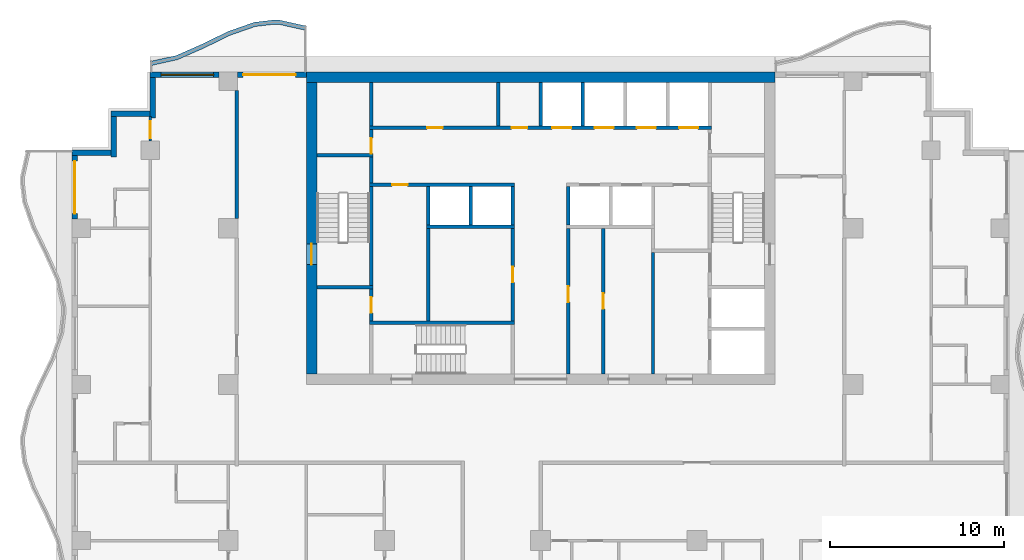
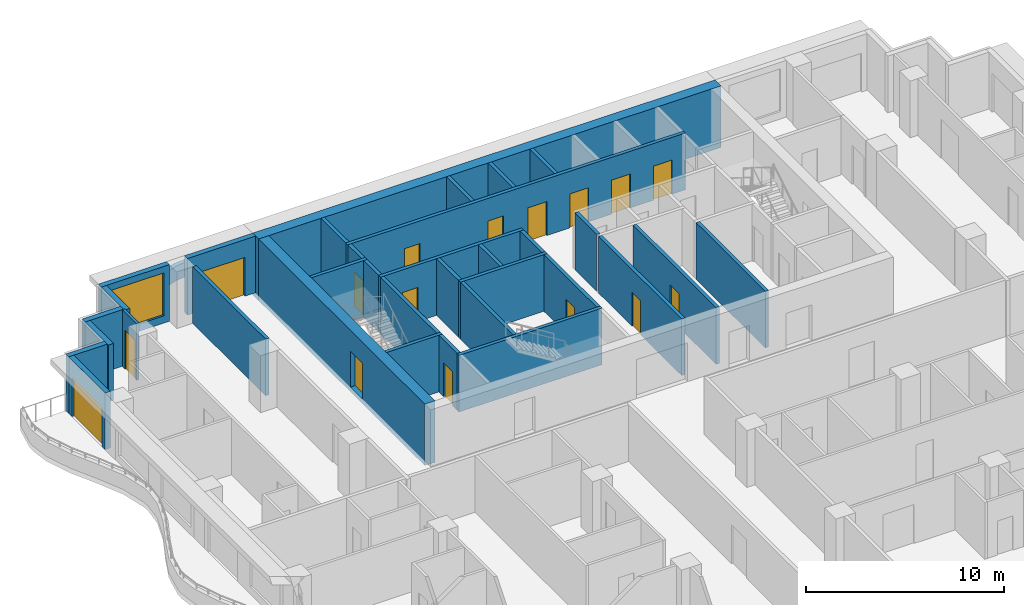
# One storey, part 5 of 11: 35 walls, 16 doors, 1 window, 17 openings.
"""IFC4 building model written with IfcOpenShell, lengths in metres."""

from ifc_helpers import new_model, si_unit, direction, frame, frame_2d, origin, place, context, subcontext, project, spatial, polyline, rectangle, outline, extrude, material, layer, layer_set, type_object, element, fill, save


model = new_model("IFC4")

# Units and contexts
model_context = context("Model", 3, precision=1e-05, world=origin(), true_north=direction((0.0, 1.0)))
body_context = subcontext(model_context, "Body", "Model", "MODEL_VIEW")
ifc_project = project(units=[si_unit("LENGTHUNIT", "METRE"), si_unit("AREAUNIT", "SQUARE_METRE"), si_unit("VOLUMEUNIT", "CUBIC_METRE"), si_unit("PLANEANGLEUNIT", "RADIAN"), si_unit("MASSUNIT", "GRAM", prefix="KILO")], contexts=[model_context])

# Site, building, storey
site_placement = place(None, origin())
site = spatial("IfcSite", under=ifc_project, at=site_placement, CompositionType="ELEMENT")
building_placement = place(site_placement, origin())
building = spatial("IfcBuilding", under=site, at=building_placement, Name="Orbiselva Terraces", CompositionType="ELEMENT")
storey_placement = place(building_placement, frame((0.0, 0.0, 184.4)))
storey = spatial("IfcBuildingStorey", under=building, at=storey_placement, Name="L46", CompositionType="ELEMENT", Elevation=184.4)

# Wall, opening, door
ifc_material_1 = material(Name="Concrete C80/95", Category="concrete")
ifc_layer_1 = layer(ifc_material_1, 0.6)
ifc_layer_set_1 = layer_set([ifc_layer_1], Name="Concrete C80/95")
wall_type_1 = type_object("IfcWallType", Name="CORE WALL 600", PredefinedType="SHEAR", material=ifc_layer_set_1)
wall_1_placement = place(storey_placement, frame((-13.2, 21.9, -0.3), z_axis=(0.0, 0.0, 1.0), x_axis=(0.0, -1.0, 0.0)))
wall_1 = element("IfcWall", 1, at=wall_1_placement, inside=storey, type_object=wall_type_1, Name="Core wall L46 west", PredefinedType="SHEAR", context=body_context, shape_type="SweptSolid", body=[
    extrude(rectangle(XDim=16.8, YDim=0.6, at=frame_2d((8.4, 0.0))), origin(), (0.0, 0.0, 1.0), 3.8),
])
opening_1_placement = place(wall_1_placement, frame((9.3, 0.0, 0.3)))
opening_1 = element("IfcOpeningElement", 2, at=opening_1_placement, cuts=wall_1, Name="Opening DS1200", PredefinedType="OPENING", context=body_context, shape_type="SweptSolid", body=[
    extrude(rectangle(XDim=1.2, YDim=2.2, at=frame_2d((0.6, 1.1))), frame((0.0, 0.31, 0.0), z_axis=(0.0, -1.0, 0.0), x_axis=(1.0, 0.0, 0.0)), (0.0, 0.0, 1.0), 0.62),
])
ifc_material_2 = material(Name="Steel fire door", Category="steel")
door_type_1 = type_object("IfcDoorType", Name="STAIR DOOR 1200", OperationType="NOTDEFINED", PredefinedType="DOOR", material=ifc_material_2)
door_1_placement = place(opening_1_placement, frame((1.2, 0.0, 0.0), z_axis=(0.0, 0.0, 1.0), x_axis=(-1.0, 0.0, 0.0)))
door_1 = element("IfcDoor", 3, at=door_1_placement, inside=storey, type_object=door_type_1, Name="L46 EXIT STAIR S1 door", OperationType="SINGLE_SWING_RIGHT", OverallHeight=2.2, OverallWidth=1.2, PredefinedType="DOOR", context=body_context, shape_type="SweptSolid", body=[
    extrude(rectangle(XDim=1.2, YDim=2.2, at=frame_2d((0.6, 1.1))), frame((0.0, 0.025, 0.0), z_axis=(0.0, -1.0, 0.0), x_axis=(1.0, 0.0, 0.0)), (0.0, 0.0, 1.0), 0.05),
])
fill(opening_1, door_1)

# Wall
ifc_layer_2 = layer(ifc_material_1, 0.6)
ifc_layer_set_2 = layer_set([ifc_layer_2], Name="Concrete C80/95")
wall_type_2 = type_object("IfcWallType", Name="CORE WALL 600 EXTERNAL", PredefinedType="SHEAR", material=ifc_layer_set_2)
wall_2_placement = place(storey_placement, frame((13.5, 22.2, -0.3), z_axis=(0.0, 0.0, 1.0), x_axis=(-1.0, 0.0, 0.0)))
element("IfcWall", 4, at=wall_2_placement, inside=storey, type_object=wall_type_2, Name="Core wall L46 north", PredefinedType="SHEAR", context=body_context, shape_type="SweptSolid", body=[
    extrude(rectangle(XDim=27.0, YDim=0.6, at=frame_2d((13.5, 0.0))), origin(), (0.0, 0.0, 1.0), 3.8),
])

# Wall, opening, door
ifc_material_3 = material(Name="Masonry blockwork", Category="masonry")
ifc_layer_3 = layer(ifc_material_3, 0.2)
ifc_layer_set_3 = layer_set([ifc_layer_3], Name="Masonry blockwork")
wall_type_3 = type_object("IfcWallType", Name="CORE-WALL-PARTITION-200", PredefinedType="PARTITIONING", material=ifc_layer_set_3)
wall_3_placement = place(storey_placement, frame((-9.75, 8.15, 0.0), z_axis=(0.0, 0.0, 1.0), x_axis=(0.0, 1.0, 0.0)))
wall_3 = element("IfcWall", 5, at=wall_3_placement, inside=storey, type_object=wall_type_3, Name="L46 core wall 05", PredefinedType="PARTITIONING", context=body_context, shape_type="SweptSolid", body=[
    extrude(rectangle(XDim=1.85, YDim=0.2, at=frame_2d((0.925, 0.0))), origin(), (0.0, 0.0, 1.0), 3.5),
])
opening_2_placement = place(wall_3_placement, frame((0.475, 0.0, 0.0)))
opening_2 = element("IfcOpeningElement", 6, at=opening_2_placement, cuts=wall_3, Name="Opening DR900", PredefinedType="OPENING", context=body_context, shape_type="SweptSolid", body=[
    extrude(rectangle(XDim=0.9, YDim=2.1, at=frame_2d((0.45, 1.05))), frame((0.0, 0.11, 0.0), z_axis=(0.0, -1.0, 0.0), x_axis=(1.0, 0.0, 0.0)), (0.0, 0.0, 1.0), 0.22),
])
door_type_2 = type_object("IfcDoorType", Name="ROOM DOOR 900", OperationType="NOTDEFINED", PredefinedType="DOOR", material=ifc_material_2)
door_2_placement = place(opening_2_placement, origin())
door_2 = element("IfcDoor", 7, at=door_2_placement, inside=storey, type_object=door_type_2, Name="L46 STAFF WC door", OperationType="SINGLE_SWING_RIGHT", OverallHeight=2.1, OverallWidth=0.9, PredefinedType="DOOR", context=body_context, shape_type="SweptSolid", body=[
    extrude(rectangle(XDim=0.9, YDim=2.1, at=frame_2d((0.45, 1.05))), frame((0.0, 0.025, 0.0), z_axis=(0.0, -1.0, 0.0), x_axis=(1.0, 0.0, 0.0)), (0.0, 0.0, 1.0), 0.05),
])
fill(opening_2, door_2)

wall_4_placement = place(storey_placement, frame((-9.75, 17.8, 0.0), z_axis=(0.0, 0.0, 1.0), x_axis=(0.0, 1.0, 0.0)))
wall_4 = element("IfcWall", 8, at=wall_4_placement, inside=storey, type_object=wall_type_3, Name="L46 core wall 09", PredefinedType="PARTITIONING", context=body_context, shape_type="SweptSolid", body=[
    extrude(rectangle(XDim=1.4, YDim=0.2, at=frame_2d((0.7, 0.0))), origin(), (0.0, 0.0, 1.0), 3.5),
])
opening_3_placement = place(wall_4_placement, origin())
opening_3 = element("IfcOpeningElement", 9, at=opening_3_placement, cuts=wall_4, Name="Opening DR900", PredefinedType="OPENING", context=body_context, shape_type="SweptSolid", body=[
    extrude(rectangle(XDim=0.9, YDim=2.1, at=frame_2d((0.45, 1.05))), frame((0.0, 0.11, 0.0), z_axis=(0.0, -1.0, 0.0), x_axis=(1.0, 0.0, 0.0)), (0.0, 0.0, 1.0), 0.22),
])
door_3_placement = place(opening_3_placement, origin())
door_3 = element("IfcDoor", 10, at=door_3_placement, inside=storey, type_object=door_type_2, Name="L46 ELECTRICAL RISER ROOM door", OperationType="SINGLE_SWING_LEFT", OverallHeight=2.1, OverallWidth=0.9, PredefinedType="DOOR", context=body_context, shape_type="SweptSolid", body=[
    extrude(rectangle(XDim=0.9, YDim=2.1, at=frame_2d((0.45, 1.05))), frame((0.0, 0.025, 0.0), z_axis=(0.0, -1.0, 0.0), x_axis=(1.0, 0.0, 0.0)), (0.0, 0.0, 1.0), 0.05),
])
fill(opening_3, door_3)

# Walls
wall_5_placement = place(storey_placement, frame((-9.75, 19.4, 0.0), z_axis=(0.0, 0.0, 1.0), x_axis=(0.0, 1.0, 0.0)))
element("IfcWall", 11, at=wall_5_placement, inside=storey, type_object=wall_type_3, Name="L46 core wall 11", PredefinedType="PARTITIONING", context=body_context, shape_type="SweptSolid", body=[
    extrude(rectangle(XDim=2.5, YDim=0.2, at=frame_2d((1.25, 0.0))), origin(), (0.0, 0.0, 1.0), 3.5),
])
wall_6_placement = place(storey_placement, frame((-6.475, 8.15, 0.0), z_axis=(0.0, 0.0, 1.0), x_axis=(0.0, 1.0, 0.0)))
element("IfcWall", 12, at=wall_6_placement, inside=storey, type_object=wall_type_3, Name="L46 core wall 12", PredefinedType="PARTITIONING", context=body_context, shape_type="SweptSolid", body=[
    extrude(rectangle(XDim=5.35, YDim=0.2, at=frame_2d((2.675, 0.0))), origin(), (0.0, 0.0, 1.0), 3.5),
])
wall_7_placement = place(storey_placement, frame((-2.4375, 19.4, 0.0), z_axis=(0.0, 0.0, 1.0), x_axis=(0.0, 1.0, 0.0)))
element("IfcWall", 13, at=wall_7_placement, inside=storey, type_object=wall_type_3, Name="L46 core wall 16", PredefinedType="PARTITIONING", context=body_context, shape_type="SweptSolid", body=[
    extrude(rectangle(XDim=2.5, YDim=0.2, at=frame_2d((1.25, 0.0))), origin(), (0.0, 0.0, 1.0), 3.5),
])

# Wall, opening, door
wall_8_placement = place(storey_placement, frame((3.6, 13.5, 0.0), z_axis=(0.0, 0.0, 1.0), x_axis=(0.0, -1.0, 0.0)))
wall_8 = element("IfcWall", 14, at=wall_8_placement, inside=storey, type_object=wall_type_3, Name="L46 core wall 26", PredefinedType="PARTITIONING", context=body_context, shape_type="SweptSolid", body=[
    extrude(rectangle(XDim=8.4, YDim=0.2, at=frame_2d((4.2, 0.0))), origin(), (0.0, 0.0, 1.0), 3.5),
])
opening_4_placement = place(wall_8_placement, frame((3.75, 0.0, 0.0)))
opening_4 = element("IfcOpeningElement", 15, at=opening_4_placement, cuts=wall_8, Name="Opening DR900", PredefinedType="OPENING", context=body_context, shape_type="SweptSolid", body=[
    extrude(rectangle(XDim=0.9, YDim=2.1, at=frame_2d((0.45, 1.05))), frame((0.0, 0.11, 0.0), z_axis=(0.0, -1.0, 0.0), x_axis=(1.0, 0.0, 0.0)), (0.0, 0.0, 1.0), 0.22),
])
door_4_placement = place(opening_4_placement, origin())
door_4 = element("IfcDoor", 16, at=door_4_placement, inside=storey, type_object=door_type_2, Name="L46 SERVICE ROOM door", OperationType="SINGLE_SWING_RIGHT", OverallHeight=2.1, OverallWidth=0.9, PredefinedType="DOOR", context=body_context, shape_type="SweptSolid", body=[
    extrude(rectangle(XDim=0.9, YDim=2.1, at=frame_2d((0.45, 1.05))), frame((0.0, 0.025, 0.0), z_axis=(0.0, -1.0, 0.0), x_axis=(1.0, 0.0, 0.0)), (0.0, 0.0, 1.0), 0.05),
])
fill(opening_4, door_4)

# Walls
ifc_material_4 = material(Name="Concrete C40/50", Category="concrete")
ifc_layer_4 = layer(ifc_material_4, 0.2)
ifc_layer_set_4 = layer_set([ifc_layer_4], Name="Concrete C40/50")
wall_type_4 = type_object("IfcWallType", Name="CORE-WALL-SHAFT-200", PredefinedType="PARTITIONING", material=ifc_layer_set_4)
for number, where, z_axis, x_axis, name in (
    (17, (-6.475, 13.7, 0.0), (0.0, 0.0, 1.0), (0.0, 1.0, 0.0), "L46 core wall 14"),
    (18, (-4.0375, 13.7, 0.0), (0.0, 0.0, 1.0), (0.0, 1.0, 0.0), "L46 core wall 15"),
    (19, (-1.6, 13.7, 0.0), (0.0, 0.0, 1.0), (0.0, 1.0, 0.0), "L46 core wall 19"),
):
    element("IfcWall", number, at=place(storey_placement, frame(where, z_axis=z_axis, x_axis=x_axis)), inside=storey, type_object=wall_type_4, Name=name, PredefinedType="PARTITIONING", context=body_context, shape_type="SweptSolid", body=[
        extrude(rectangle(XDim=2.2, YDim=0.2, at=frame_2d((1.1, 0.0))), origin(), (0.0, 0.0, 1.0), 3.5),
    ])
wall_9_placement = place(storey_placement, frame((0.0, 19.4, 0.0), z_axis=(0.0, 0.0, 1.0), x_axis=(0.0, 1.0, 0.0)))
element("IfcWall", 20, at=wall_9_placement, inside=storey, type_object=wall_type_4, Name="L46 core wall 20", PredefinedType="PARTITIONING", context=body_context, shape_type="SweptSolid", body=[
    extrude(rectangle(XDim=2.5, YDim=0.2, at=frame_2d((1.25, 0.0))), origin(), (0.0, 0.0, 1.0), 3.5),
])
wall_10_placement = place(storey_placement, frame((1.6, 13.7, 0.0), z_axis=(0.0, 0.0, 1.0), x_axis=(0.0, 1.0, 0.0)))
element("IfcWall", 21, at=wall_10_placement, inside=storey, type_object=wall_type_4, Name="L46 core wall 23", PredefinedType="PARTITIONING", context=body_context, shape_type="SweptSolid", body=[
    extrude(rectangle(XDim=2.2, YDim=0.2, at=frame_2d((1.1, 0.0))), origin(), (0.0, 0.0, 1.0), 3.5),
])
wall_11_placement = place(storey_placement, frame((2.4375, 19.4, 0.0), z_axis=(0.0, 0.0, 1.0), x_axis=(0.0, 1.0, 0.0)))
element("IfcWall", 22, at=wall_11_placement, inside=storey, type_object=wall_type_4, Name="L46 core wall 25", PredefinedType="PARTITIONING", context=body_context, shape_type="SweptSolid", body=[
    extrude(rectangle(XDim=2.5, YDim=0.2, at=frame_2d((1.25, 0.0))), origin(), (0.0, 0.0, 1.0), 3.5),
])
ifc_material_5 = material(Name="Concrete C60/75", Category="concrete")
ifc_layer_5 = layer(ifc_material_5, 0.2)
ifc_layer_set_5 = layer_set([ifc_layer_5], Name="Concrete C60/75")
wall_type_5 = type_object("IfcWallType", Name="CORE-WALL-SHEAR-200", PredefinedType="SHEAR", material=ifc_layer_set_5)
for number, where, z_axis, x_axis, name in (
    (23, (-12.9, 10.1, 0.0), (0.0, 0.0, 1.0), (1.0, 0.0, 0.0), "L46 core wall 01"),
    (24, (-12.9, 17.7, 0.0), (0.0, 0.0, 1.0), (1.0, 0.0, 0.0), "L46 core wall 02"),
):
    element("IfcWall", number, at=place(storey_placement, frame(where, z_axis=z_axis, x_axis=x_axis)), inside=storey, type_object=wall_type_5, Name=name, PredefinedType="SHEAR", context=body_context, shape_type="SweptSolid", body=[
        extrude(rectangle(XDim=3.25, YDim=0.2, at=frame_2d((1.625, 0.0))), origin(), (0.0, 0.0, 1.0), 3.5),
    ])
wall_12_placement = place(storey_placement, frame((-9.85, 8.05, 0.0), z_axis=(0.0, 0.0, 1.0), x_axis=(1.0, 0.0, 0.0)))
element("IfcWall", 25, at=wall_12_placement, inside=storey, type_object=wall_type_5, Name="L46 core wall 04", PredefinedType="SHEAR", context=body_context, shape_type="SweptSolid", body=[
    extrude(rectangle(XDim=8.35, YDim=0.2, at=frame_2d((4.175, 0.0))), origin(), (0.0, 0.0, 1.0), 3.5),
])
wall_13_placement = place(storey_placement, frame((-9.75, 10.2, 0.0), z_axis=(0.0, 0.0, 1.0), x_axis=(0.0, 1.0, 0.0)))
element("IfcWall", 26, at=wall_13_placement, inside=storey, type_object=wall_type_5, Name="L46 core wall 06", PredefinedType="SHEAR", context=body_context, shape_type="SweptSolid", body=[
    extrude(rectangle(XDim=5.7, YDim=0.2, at=frame_2d((2.85, 0.0))), origin(), (0.0, 0.0, 1.0), 3.5),
])

# Wall, opening, door
wall_14_placement = place(storey_placement, frame((-1.5, 16.0, 0.0), z_axis=(0.0, 0.0, 1.0), x_axis=(-1.0, 0.0, 0.0)))
wall_14 = element("IfcWall", 27, at=wall_14_placement, inside=storey, type_object=wall_type_5, Name="L46 core wall 07", PredefinedType="SHEAR", context=body_context, shape_type="SweptSolid", body=[
    extrude(rectangle(XDim=8.35, YDim=0.2, at=frame_2d((4.175, 0.0))), origin(), (0.0, 0.0, 1.0), 3.5),
])
opening_5_placement = place(wall_14_placement, frame((6.1625, 0.0, 0.0)))
opening_5 = element("IfcOpeningElement", 28, at=opening_5_placement, cuts=wall_14, Name="Opening DR900", PredefinedType="OPENING", context=body_context, shape_type="SweptSolid", body=[
    extrude(rectangle(XDim=0.9, YDim=2.1, at=frame_2d((0.45, 1.05))), frame((0.0, 0.11, 0.0), z_axis=(0.0, -1.0, 0.0), x_axis=(1.0, 0.0, 0.0)), (0.0, 0.0, 1.0), 0.22),
])
door_5_placement = place(opening_5_placement, origin())
door_5 = element("IfcDoor", 29, at=door_5_placement, inside=storey, type_object=door_type_2, Name="L46 STAFF PANTRY door", OperationType="SINGLE_SWING_RIGHT", OverallHeight=2.1, OverallWidth=0.9, PredefinedType="DOOR", context=body_context, shape_type="SweptSolid", body=[
    extrude(rectangle(XDim=0.9, YDim=2.1, at=frame_2d((0.45, 1.05))), frame((0.0, 0.025, 0.0), z_axis=(0.0, -1.0, 0.0), x_axis=(1.0, 0.0, 0.0)), (0.0, 0.0, 1.0), 0.05),
])
fill(opening_5, door_5)

# Wall
wall_15_placement = place(storey_placement, frame((-9.75, 16.1, 0.0), z_axis=(0.0, 0.0, 1.0), x_axis=(0.0, 1.0, 0.0)))
element("IfcWall", 30, at=wall_15_placement, inside=storey, type_object=wall_type_5, Name="L46 core wall 08", PredefinedType="SHEAR", context=body_context, shape_type="SweptSolid", body=[
    extrude(rectangle(XDim=1.5, YDim=0.2, at=frame_2d((0.75, 0.0))), origin(), (0.0, 0.0, 1.0), 3.5),
])

# Wall, openings, doors
wall_16_placement = place(storey_placement, frame((-9.85, 19.3, 0.0), z_axis=(0.0, 0.0, 1.0), x_axis=(1.0, 0.0, 0.0)))
wall_16 = element("IfcWall", 31, at=wall_16_placement, inside=storey, type_object=wall_type_5, Name="L46 core wall 10", PredefinedType="SHEAR", context=body_context, shape_type="SweptSolid", body=[
    extrude(rectangle(XDim=19.7, YDim=0.2, at=frame_2d((9.85, 0.0))), origin(), (0.0, 0.0, 1.0), 3.5),
])
opening_6_placement = place(wall_16_placement, frame((10.51875, 0.0, 0.0)))
opening_6 = element("IfcOpeningElement", 32, at=opening_6_placement, cuts=wall_16, Name="Opening LD-HR1", PredefinedType="OPENING", context=body_context, shape_type="SweptSolid", body=[
    extrude(rectangle(XDim=1.1, YDim=2.1, at=frame_2d((0.55, 1.05))), frame((0.0, 0.11, 0.0), z_axis=(0.0, -1.0, 0.0), x_axis=(1.0, 0.0, 0.0)), (0.0, 0.0, 1.0), 0.22),
])
opening_7_placement = place(wall_16_placement, frame((12.95625, 0.0, 0.0)))
opening_7 = element("IfcOpeningElement", 33, at=opening_7_placement, cuts=wall_16, Name="Opening LD-HR2", PredefinedType="OPENING", context=body_context, shape_type="SweptSolid", body=[
    extrude(rectangle(XDim=1.1, YDim=2.1, at=frame_2d((0.55, 1.05))), frame((0.0, 0.11, 0.0), z_axis=(0.0, -1.0, 0.0), x_axis=(1.0, 0.0, 0.0)), (0.0, 0.0, 1.0), 0.22),
])
opening_8_placement = place(wall_16_placement, frame((15.39375, 0.0, 0.0)))
opening_8 = element("IfcOpeningElement", 34, at=opening_8_placement, cuts=wall_16, Name="Opening LD-HR3", PredefinedType="OPENING", context=body_context, shape_type="SweptSolid", body=[
    extrude(rectangle(XDim=1.1, YDim=2.1, at=frame_2d((0.55, 1.05))), frame((0.0, 0.11, 0.0), z_axis=(0.0, -1.0, 0.0), x_axis=(1.0, 0.0, 0.0)), (0.0, 0.0, 1.0), 0.22),
])
opening_9_placement = place(wall_16_placement, frame((17.83125, 0.0, 0.0)))
opening_9 = element("IfcOpeningElement", 35, at=opening_9_placement, cuts=wall_16, Name="Opening LD-HR4", PredefinedType="OPENING", context=body_context, shape_type="SweptSolid", body=[
    extrude(rectangle(XDim=1.1, YDim=2.1, at=frame_2d((0.55, 1.05))), frame((0.0, 0.11, 0.0), z_axis=(0.0, -1.0, 0.0), x_axis=(1.0, 0.0, 0.0)), (0.0, 0.0, 1.0), 0.22),
])
opening_10_placement = place(wall_16_placement, frame((3.3062, 0.0, 0.0)))
opening_10 = element("IfcOpeningElement", 36, at=opening_10_placement, cuts=wall_16, Name="Opening DR900", PredefinedType="OPENING", context=body_context, shape_type="SweptSolid", body=[
    extrude(rectangle(XDim=0.9, YDim=2.1, at=frame_2d((0.45, 1.05))), frame((0.0, 0.11, 0.0), z_axis=(0.0, -1.0, 0.0), x_axis=(1.0, 0.0, 0.0)), (0.0, 0.0, 1.0), 0.22),
])
opening_11_placement = place(wall_16_placement, frame((8.1812, 0.0, 0.0)))
opening_11 = element("IfcOpeningElement", 37, at=opening_11_placement, cuts=wall_16, Name="Opening DR900", PredefinedType="OPENING", context=body_context, shape_type="SweptSolid", body=[
    extrude(rectangle(XDim=0.9, YDim=2.1, at=frame_2d((0.45, 1.05))), frame((0.0, 0.11, 0.0), z_axis=(0.0, -1.0, 0.0), x_axis=(1.0, 0.0, 0.0)), (0.0, 0.0, 1.0), 0.22),
])
ifc_material_6 = material(Name="Stainless steel landing door", Category="steel")
door_type_3 = type_object("IfcDoorType", Name="LANDING DOOR 1100", OperationType="SLIDING_TO_LEFT", PredefinedType="DOOR", material=ifc_material_6)
door_6_placement = place(opening_6_placement, origin())
door_6 = element("IfcDoor", 38, at=door_6_placement, inside=storey, type_object=door_type_3, Name="L46 landing door HR1", OperationType="SLIDING_TO_RIGHT", OverallHeight=2.1, OverallWidth=1.1, PredefinedType="DOOR", context=body_context, shape_type="SweptSolid", body=[
    extrude(rectangle(XDim=1.1, YDim=2.1, at=frame_2d((0.55, 1.05))), frame((0.0, 0.025, 0.0), z_axis=(0.0, -1.0, 0.0), x_axis=(1.0, 0.0, 0.0)), (0.0, 0.0, 1.0), 0.05),
])
fill(opening_6, door_6)
door_7_placement = place(opening_7_placement, origin())
door_7 = element("IfcDoor", 39, at=door_7_placement, inside=storey, type_object=door_type_3, Name="L46 landing door HR2", OperationType="SLIDING_TO_RIGHT", OverallHeight=2.1, OverallWidth=1.1, PredefinedType="DOOR", context=body_context, shape_type="SweptSolid", body=[
    extrude(rectangle(XDim=1.1, YDim=2.1, at=frame_2d((0.55, 1.05))), frame((0.0, 0.025, 0.0), z_axis=(0.0, -1.0, 0.0), x_axis=(1.0, 0.0, 0.0)), (0.0, 0.0, 1.0), 0.05),
])
fill(opening_7, door_7)
door_8_placement = place(opening_8_placement, origin())
door_8 = element("IfcDoor", 40, at=door_8_placement, inside=storey, type_object=door_type_3, Name="L46 landing door HR3", OperationType="SLIDING_TO_RIGHT", OverallHeight=2.1, OverallWidth=1.1, PredefinedType="DOOR", context=body_context, shape_type="SweptSolid", body=[
    extrude(rectangle(XDim=1.1, YDim=2.1, at=frame_2d((0.55, 1.05))), frame((0.0, 0.025, 0.0), z_axis=(0.0, -1.0, 0.0), x_axis=(1.0, 0.0, 0.0)), (0.0, 0.0, 1.0), 0.05),
])
fill(opening_8, door_8)
door_9_placement = place(opening_9_placement, origin())
door_9 = element("IfcDoor", 41, at=door_9_placement, inside=storey, type_object=door_type_3, Name="L46 landing door HR4", OperationType="SLIDING_TO_RIGHT", OverallHeight=2.1, OverallWidth=1.1, PredefinedType="DOOR", context=body_context, shape_type="SweptSolid", body=[
    extrude(rectangle(XDim=1.1, YDim=2.1, at=frame_2d((0.55, 1.05))), frame((0.0, 0.025, 0.0), z_axis=(0.0, -1.0, 0.0), x_axis=(1.0, 0.0, 0.0)), (0.0, 0.0, 1.0), 0.05),
])
fill(opening_9, door_9)
door_10_placement = place(opening_10_placement, origin())
door_10 = element("IfcDoor", 42, at=door_10_placement, inside=storey, type_object=door_type_2, Name="L46 HOUSEKEEPING door", OperationType="SINGLE_SWING_LEFT", OverallHeight=2.1, OverallWidth=0.9, PredefinedType="DOOR", context=body_context, shape_type="SweptSolid", body=[
    extrude(rectangle(XDim=0.9, YDim=2.1, at=frame_2d((0.45, 1.05))), frame((0.0, 0.025, 0.0), z_axis=(0.0, -1.0, 0.0), x_axis=(1.0, 0.0, 0.0)), (0.0, 0.0, 1.0), 0.05),
])
fill(opening_10, door_10)
door_11_placement = place(opening_11_placement, origin())
door_11 = element("IfcDoor", 43, at=door_11_placement, inside=storey, type_object=door_type_2, Name="L46 WC door", OperationType="SINGLE_SWING_LEFT", OverallHeight=2.1, OverallWidth=0.9, PredefinedType="DOOR", context=body_context, shape_type="SweptSolid", body=[
    extrude(rectangle(XDim=0.9, YDim=2.1, at=frame_2d((0.45, 1.05))), frame((0.0, 0.025, 0.0), z_axis=(0.0, -1.0, 0.0), x_axis=(1.0, 0.0, 0.0)), (0.0, 0.0, 1.0), 0.05),
])
fill(opening_11, door_11)

# Wall
wall_17_placement = place(storey_placement, frame((-6.575, 13.6, 0.0), z_axis=(0.0, 0.0, 1.0), x_axis=(1.0, 0.0, 0.0)))
element("IfcWall", 44, at=wall_17_placement, inside=storey, type_object=wall_type_5, Name="L46 core wall 13", PredefinedType="SHEAR", context=body_context, shape_type="SweptSolid", body=[
    extrude(rectangle(XDim=5.075, YDim=0.2, at=frame_2d((2.5375, 0.0))), origin(), (0.0, 0.0, 1.0), 3.5),
])

# Wall, opening, door
wall_18_placement = place(storey_placement, frame((-1.6, 8.15, 0.0), z_axis=(0.0, 0.0, 1.0), x_axis=(0.0, 1.0, 0.0)))
wall_18 = element("IfcWall", 45, at=wall_18_placement, inside=storey, type_object=wall_type_5, Name="L46 core wall 18", PredefinedType="SHEAR", context=body_context, shape_type="SweptSolid", body=[
    extrude(rectangle(XDim=5.35, YDim=0.2, at=frame_2d((2.675, 0.0))), origin(), (0.0, 0.0, 1.0), 3.5),
])
opening_12_placement = place(wall_18_placement, frame((2.225, 0.0, 0.0)))
opening_12 = element("IfcOpeningElement", 46, at=opening_12_placement, cuts=wall_18, Name="Opening DR900", PredefinedType="OPENING", context=body_context, shape_type="SweptSolid", body=[
    extrude(rectangle(XDim=0.9, YDim=2.1, at=frame_2d((0.45, 1.05))), frame((0.0, 0.11, 0.0), z_axis=(0.0, -1.0, 0.0), x_axis=(1.0, 0.0, 0.0)), (0.0, 0.0, 1.0), 0.22),
])
door_12_placement = place(opening_12_placement, origin())
door_12 = element("IfcDoor", 47, at=door_12_placement, inside=storey, type_object=door_type_2, Name="L46 HOUSEKEEPING STORE door", OperationType="SINGLE_SWING_RIGHT", OverallHeight=2.1, OverallWidth=0.9, PredefinedType="DOOR", context=body_context, shape_type="SweptSolid", body=[
    extrude(rectangle(XDim=0.9, YDim=2.1, at=frame_2d((0.45, 1.05))), frame((0.0, 0.025, 0.0), z_axis=(0.0, -1.0, 0.0), x_axis=(1.0, 0.0, 0.0)), (0.0, 0.0, 1.0), 0.05),
])
fill(opening_12, door_12)

wall_19_placement = place(storey_placement, frame((1.6, 13.5, 0.0), z_axis=(0.0, 0.0, 1.0), x_axis=(0.0, -1.0, 0.0)))
wall_19 = element("IfcWall", 48, at=wall_19_placement, inside=storey, type_object=wall_type_5, Name="L46 core wall 21", PredefinedType="SHEAR", context=body_context, shape_type="SweptSolid", body=[
    extrude(rectangle(XDim=8.4, YDim=0.2, at=frame_2d((4.2, 0.0))), origin(), (0.0, 0.0, 1.0), 3.5),
])
opening_13_placement = place(wall_19_placement, frame((3.35, 0.0, 0.0)))
opening_13 = element("IfcOpeningElement", 49, at=opening_13_placement, cuts=wall_19, Name="Opening DR900", PredefinedType="OPENING", context=body_context, shape_type="SweptSolid", body=[
    extrude(rectangle(XDim=0.9, YDim=2.1, at=frame_2d((0.45, 1.05))), frame((0.0, 0.11, 0.0), z_axis=(0.0, -1.0, 0.0), x_axis=(1.0, 0.0, 0.0)), (0.0, 0.0, 1.0), 0.22),
])
door_13_placement = place(opening_13_placement, origin())
door_13 = element("IfcDoor", 50, at=door_13_placement, inside=storey, type_object=door_type_2, Name="L46 COMMS ROOM door", OperationType="SINGLE_SWING_LEFT", OverallHeight=2.1, OverallWidth=0.9, PredefinedType="DOOR", context=body_context, shape_type="SweptSolid", body=[
    extrude(rectangle(XDim=0.9, YDim=2.1, at=frame_2d((0.45, 1.05))), frame((0.0, 0.025, 0.0), z_axis=(0.0, -1.0, 0.0), x_axis=(1.0, 0.0, 0.0)), (0.0, 0.0, 1.0), 0.05),
])
fill(opening_13, door_13)

# Walls
wall_20_placement = place(storey_placement, frame((6.475, 5.1, 0.0), z_axis=(0.0, 0.0, 1.0), x_axis=(0.0, 1.0, 0.0)))
element("IfcWall", 51, at=wall_20_placement, inside=storey, type_object=wall_type_5, Name="L46 core wall 29", PredefinedType="SHEAR", context=body_context, shape_type="SweptSolid", body=[
    extrude(rectangle(XDim=7.0, YDim=0.2, at=frame_2d((3.5, 0.0))), origin(), (0.0, 0.0, 1.0), 3.5),
])
ifc_layer_6 = layer(ifc_material_4, 0.25)
ifc_layer_set_6 = layer_set([ifc_layer_6], Name="Concrete C40/50")
wall_type_6 = type_object("IfcWallType", Name="ENV-PLANTER-250x900", PredefinedType="USERDEFINED", material=ifc_layer_set_6)
wall_21_placement = place(storey_placement, origin())
element("IfcWall", 52, at=wall_21_placement, inside=storey, type_object=wall_type_6, Name="Balcony planter L46 NW", ObjectType="PLANTER", PredefinedType="USERDEFINED", context=body_context, shape_type="SweptSolid", body=[
    extrude(outline(polyline([(-13.5, 25.148528), (-15.0, 25.485226), (-15.375, 25.5), (-16.5, 25.369208), (-18.0, 24.844789), (-19.5, 24.112279), (-21.0, 23.451472), (-22.5, 23.114774), (-22.445246, 22.870844), (-20.921492, 23.212874), (-19.394714, 23.885477), (-17.90356, 24.613667), (-16.443629, 25.124078), (-15.365428, 25.249429), (-15.032565, 25.236315), (-13.554754, 24.904598), (-13.5, 25.148528)])), origin(), (0.0, 0.0, 1.0), 0.9),
])

# Wall, opening, door
ifc_material_7 = material(Name="Terracotta cladding on masonry backing", Category="masonry")
ifc_layer_7 = layer(ifc_material_7, 0.3)
ifc_layer_set_7 = layer_set([ifc_layer_7], Name="Terracotta cladding on masonry backing")
wall_type_7 = type_object("IfcWallType", Name="ENV-WALL-TERRACOTTA-300", PredefinedType="SOLIDWALL", material=ifc_layer_set_7)
wall_22_placement = place(storey_placement, frame((-17.475, 22.35, 0.0), z_axis=(0.0, 0.0, 1.0), x_axis=(1.0, 0.0, 0.0)))
wall_22 = element("IfcWall", 53, at=wall_22_placement, inside=storey, type_object=wall_type_7, Name="Facade wall L46 NW", PredefinedType="SOLIDWALL", context=body_context, shape_type="SweptSolid", body=[
    extrude(rectangle(XDim=3.975, YDim=0.3, at=frame_2d((1.9875, 0.0))), origin(), (0.0, 0.0, 1.0), 3.5),
])
opening_14_placement = place(wall_22_placement, frame((0.325, 0.0, 0.0)))
opening_14 = element("IfcOpeningElement", 54, at=opening_14_placement, cuts=wall_22, Name="Opening Z4-A-E10", PredefinedType="OPENING", context=body_context, shape_type="SweptSolid", body=[
    extrude(rectangle(XDim=3.025, YDim=2.4, at=frame_2d((1.5125, 1.2))), frame((0.0, 0.16, 0.0), z_axis=(0.0, -1.0, 0.0), x_axis=(1.0, 0.0, 0.0)), (0.0, 0.0, 1.0), 0.32),
])
ifc_material_8 = material(Name="Clear low-e glazing in aluminium frame", Category="aluminium")
door_type_4 = type_object("IfcDoorType", Name="BALCONY DOOR 3025 X 2400", OperationType="DOUBLE_DOOR_SLIDING", PredefinedType="DOOR", material=ifc_material_8)
door_14_placement = place(opening_14_placement, origin())
door_14 = element("IfcDoor", 55, at=door_14_placement, inside=storey, type_object=door_type_4, Name="Z4-A-E10", OperationType="SINGLE_SWING_LEFT", OverallHeight=2.4, OverallWidth=3.025, PredefinedType="DOOR", context=body_context, shape_type="SweptSolid", body=[
    extrude(rectangle(XDim=3.025, YDim=2.4, at=frame_2d((1.5125, 1.2))), frame((0.0, 0.025, 0.0), z_axis=(0.0, -1.0, 0.0), x_axis=(1.0, 0.0, 0.0)), (0.0, 0.0, 1.0), 0.05),
])
fill(opening_14, door_14)

# Wall, opening, window
wall_23_placement = place(storey_placement, frame((-22.5, 22.35, 0.0), z_axis=(0.0, 0.0, 1.0), x_axis=(1.0, 0.0, 0.0)))
wall_23 = element("IfcWall", 56, at=wall_23_placement, inside=storey, type_object=wall_type_7, Name="Facade wall L46 NW", PredefinedType="SOLIDWALL", context=body_context, shape_type="SweptSolid", body=[
    extrude(rectangle(XDim=3.975, YDim=0.3, at=frame_2d((1.9875, 0.0))), origin(), (0.0, 0.0, 1.0), 3.5),
])
opening_15_placement = place(wall_23_placement, frame((0.625, 0.0, 0.45)))
opening_15 = element("IfcOpeningElement", 57, at=opening_15_placement, cuts=wall_23, Name="Opening WN14", PredefinedType="OPENING", context=body_context, shape_type="SweptSolid", body=[
    extrude(rectangle(XDim=3.025, YDim=2.65, at=frame_2d((1.5125, 1.325))), frame((0.0, 0.16, 0.0), z_axis=(0.0, -1.0, 0.0), x_axis=(1.0, 0.0, 0.0)), (0.0, 0.0, 1.0), 0.32),
])
window_type = type_object("IfcWindowType", Name="WINDOW 3025 X 2650 S450", PartitioningType="TRIPLE_PANEL_VERTICAL", PredefinedType="WINDOW", material=ifc_material_8)
window_placement = place(opening_15_placement, origin())
window = element("IfcWindow", 58, at=window_placement, inside=storey, type_object=window_type, Name="Window L46 NW", OverallHeight=2.65, OverallWidth=3.025, PartitioningType="SINGLE_PANEL", PredefinedType="WINDOW", context=body_context, shape_type="SweptSolid", body=[
    extrude(rectangle(XDim=3.025, YDim=2.65, at=frame_2d((1.5125, 1.325))), frame((0.0, 0.03, 0.0), z_axis=(0.0, -1.0, 0.0), x_axis=(1.0, 0.0, 0.0)), (0.0, 0.0, 1.0), 0.06),
])
fill(opening_15, window)

# Walls
wall_24_placement = place(storey_placement, frame((-22.35, 19.85, 0.0), z_axis=(0.0, 0.0, 1.0), x_axis=(0.0, 1.0, 0.0)))
element("IfcWall", 59, at=wall_24_placement, inside=storey, type_object=wall_type_7, Name="Facade wall L46 STEP", PredefinedType="SOLIDWALL", context=body_context, shape_type="SweptSolid", body=[
    extrude(rectangle(XDim=2.35, YDim=0.3, at=frame_2d((1.175, 0.0))), origin(), (0.0, 0.0, 1.0), 3.5),
])
wall_25_placement = place(storey_placement, frame((-24.75, 20.1, 0.0), z_axis=(0.0, 0.0, 1.0), x_axis=(1.0, 0.0, 0.0)))
element("IfcWall", 60, at=wall_25_placement, inside=storey, type_object=wall_type_7, Name="Facade wall L46 STEP", PredefinedType="SOLIDWALL", context=body_context, shape_type="SweptSolid", body=[
    extrude(rectangle(XDim=2.25, YDim=0.3, at=frame_2d((1.125, 0.0))), origin(), (0.0, 0.0, 1.0), 3.5),
])
wall_26_placement = place(storey_placement, frame((-24.6, 17.6, 0.0), z_axis=(0.0, 0.0, 1.0), x_axis=(0.0, 1.0, 0.0)))
element("IfcWall", 61, at=wall_26_placement, inside=storey, type_object=wall_type_7, Name="Facade wall L46 STEP", PredefinedType="SOLIDWALL", context=body_context, shape_type="SweptSolid", body=[
    extrude(rectangle(XDim=2.35, YDim=0.3, at=frame_2d((1.175, 0.0))), origin(), (0.0, 0.0, 1.0), 3.5),
])
wall_27_placement = place(storey_placement, frame((-27.0, 17.85, 0.0), z_axis=(0.0, 0.0, 1.0), x_axis=(1.0, 0.0, 0.0)))
element("IfcWall", 62, at=wall_27_placement, inside=storey, type_object=wall_type_7, Name="Facade wall L46 STEP", PredefinedType="SOLIDWALL", context=body_context, shape_type="SweptSolid", body=[
    extrude(rectangle(XDim=2.25, YDim=0.3, at=frame_2d((1.125, 0.0))), origin(), (0.0, 0.0, 1.0), 3.5),
])

# Wall, opening, door
wall_28_placement = place(storey_placement, frame((-26.85, 14.025, 0.0), z_axis=(0.0, 0.0, 1.0), x_axis=(0.0, 1.0, 0.0)))
wall_28 = element("IfcWall", 63, at=wall_28_placement, inside=storey, type_object=wall_type_7, Name="Facade wall L46 W", PredefinedType="SOLIDWALL", context=body_context, shape_type="SweptSolid", body=[
    extrude(rectangle(XDim=3.675, YDim=0.3, at=frame_2d((1.8375, 0.0))), origin(), (0.0, 0.0, 1.0), 3.5),
])
opening_16_placement = place(wall_28_placement, frame((0.325, 0.0, 0.0)))
opening_16 = element("IfcOpeningElement", 64, at=opening_16_placement, cuts=wall_28, Name="Opening Z4-A-E11", PredefinedType="OPENING", context=body_context, shape_type="SweptSolid", body=[
    extrude(rectangle(XDim=3.025, YDim=2.4, at=frame_2d((1.5125, 1.2))), frame((0.0, 0.16, 0.0), z_axis=(0.0, -1.0, 0.0), x_axis=(1.0, 0.0, 0.0)), (0.0, 0.0, 1.0), 0.32),
])
door_15_placement = place(opening_16_placement, origin())
door_15 = element("IfcDoor", 65, at=door_15_placement, inside=storey, type_object=door_type_4, Name="Z4-A-E11", OperationType="SINGLE_SWING_LEFT", OverallHeight=2.4, OverallWidth=3.025, PredefinedType="DOOR", context=body_context, shape_type="SweptSolid", body=[
    extrude(rectangle(XDim=3.025, YDim=2.4, at=frame_2d((1.5125, 1.2))), frame((0.0, 0.025, 0.0), z_axis=(0.0, -1.0, 0.0), x_axis=(1.0, 0.0, 0.0)), (0.0, 0.0, 1.0), 0.05),
])
fill(opening_16, door_15)

# Wall
ifc_material_9 = material(Name="Plasterboard on steel stud partition", Category="steel")
ifc_layer_8 = layer(ifc_material_9, 0.2)
ifc_layer_set_8 = layer_set([ifc_layer_8], Name="Plasterboard on steel stud partition")
wall_type_8 = type_object("IfcWallType", Name="UNIT-ENTRANCE-WALL-200", PredefinedType="PARTITIONING", material=ifc_layer_set_8)
wall_29_placement = place(storey_placement, frame((-17.5, 14.075, 0.0), z_axis=(0.0, 0.0, 1.0), x_axis=(0.0, 1.0, 0.0)))
element("IfcWall", 66, at=wall_29_placement, inside=storey, type_object=wall_type_8, Name="PARTITION L46-052", PredefinedType="PARTITIONING", context=body_context, shape_type="SweptSolid", body=[
    extrude(rectangle(XDim=7.375, YDim=0.2, at=frame_2d((3.6875, 0.0))), origin(), (0.0, 0.0, 1.0), 3.5),
])

# Wall, opening, door
ifc_layer_9 = layer(ifc_material_9, 0.15)
ifc_layer_set_9 = layer_set([ifc_layer_9], Name="Plasterboard on steel stud partition")
wall_type_9 = type_object("IfcWallType", Name="UNIT-PARTITION-150", PredefinedType="PARTITIONING", material=ifc_layer_set_9)
wall_30_placement = place(storey_placement, frame((-22.5, 18.525, 0.0), z_axis=(0.0, 0.0, 1.0), x_axis=(0.0, 1.0, 0.0)))
wall_30 = element("IfcWall", 67, at=wall_30_placement, inside=storey, type_object=wall_type_9, Name="PARTITION L46-043", PredefinedType="PARTITIONING", context=body_context, shape_type="SweptSolid", body=[
    extrude(rectangle(XDim=1.425, YDim=0.15, at=frame_2d((0.7125, 0.0))), origin(), (0.0, 0.0, 1.0), 3.5),
])
opening_17_placement = place(wall_30_placement, frame((0.15, 0.0, 0.0)))
opening_17 = element("IfcOpeningElement", 68, at=opening_17_placement, cuts=wall_30, Name="Opening Z4-A-06", PredefinedType="OPENING", context=body_context, shape_type="SweptSolid", body=[
    extrude(rectangle(XDim=1.0, YDim=2.4, at=frame_2d((0.5, 1.2))), frame((0.0, 0.085, 0.0), z_axis=(0.0, -1.0, 0.0), x_axis=(1.0, 0.0, 0.0)), (0.0, 0.0, 1.0), 0.17),
])
ifc_material_10 = material(Name="Painted timber door leaf", Category="wood")
door_type_5 = type_object("IfcDoorType", Name="ROOM DOOR 1000", OperationType="NOTDEFINED", PredefinedType="DOOR", material=ifc_material_10)
door_16_placement = place(opening_17_placement, origin())
door_16 = element("IfcDoor", 69, at=door_16_placement, inside=storey, type_object=door_type_5, Name="Z4-A-06", OperationType="SINGLE_SWING_LEFT", OverallHeight=2.4, OverallWidth=1.0, PredefinedType="DOOR", context=body_context, shape_type="SweptSolid", body=[
    extrude(rectangle(XDim=1.0, YDim=2.4, at=frame_2d((0.5, 1.2))), frame((0.0, 0.025, 0.0), z_axis=(0.0, -1.0, 0.0), x_axis=(1.0, 0.0, 0.0)), (0.0, 0.0, 1.0), 0.05),
])
fill(opening_17, door_16)

save(model, "model.ifc")
